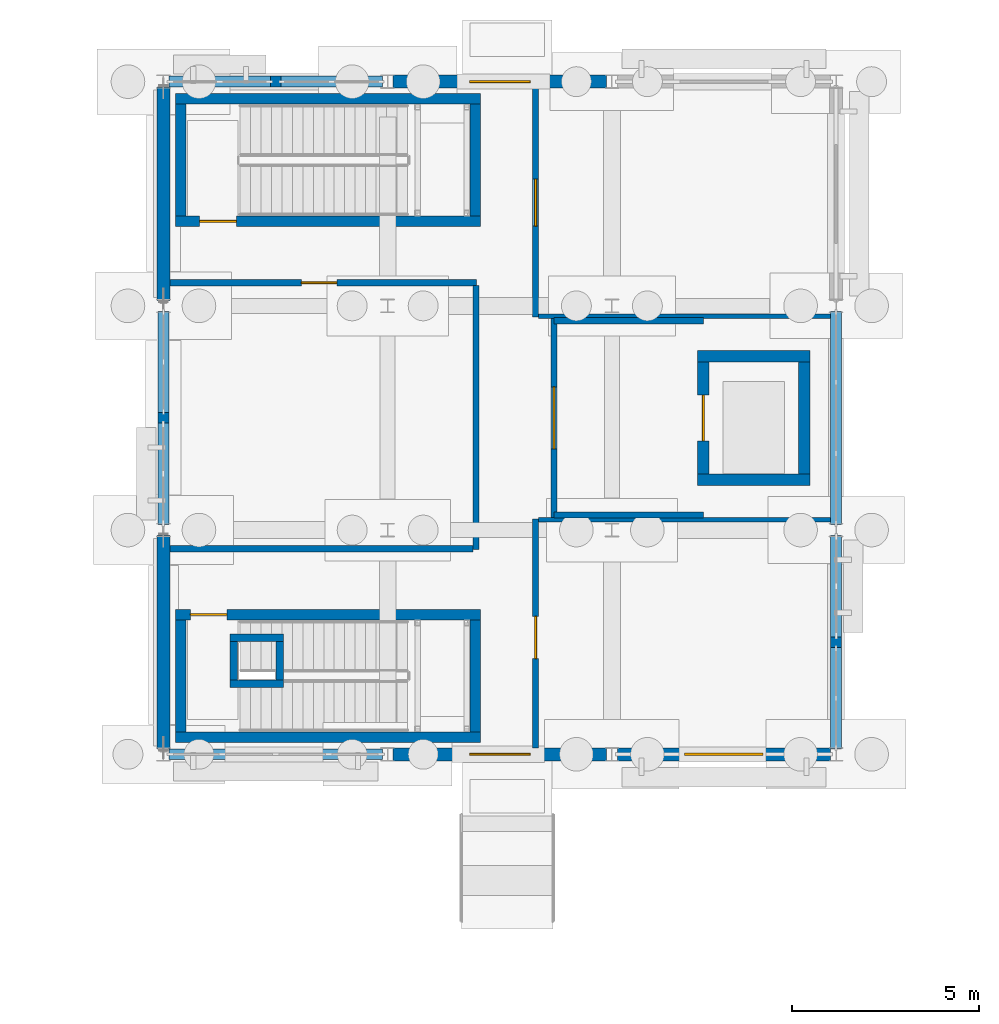
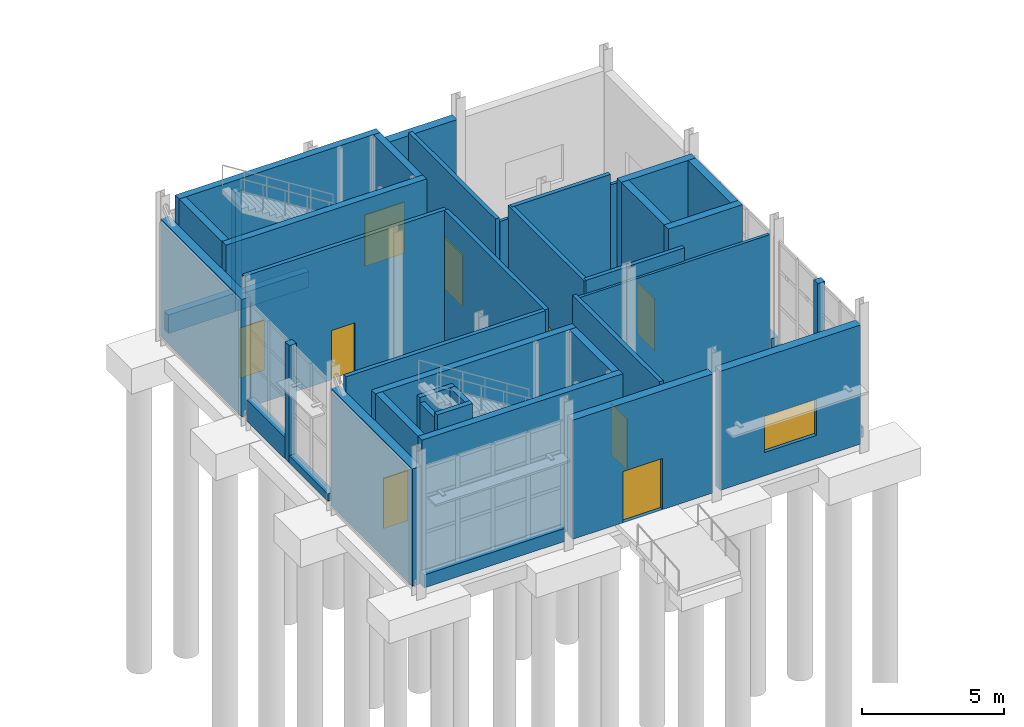
# One storey, part 99 of 120: 42 walls, 9 doors, 1 window, 10 openings.
"""IFC4 building model written with IfcOpenShell, lengths in metres."""

import ifcopenshell
import ifcopenshell.guid

model = None  # the IFC model being written
_history = None  # IfcOwnerHistory: only IFC2X3 demands one
_inside = {}  # id of a spatial element -> (the spatial element, [elements in it])
_under = {}  # id of a project, library or spatial element -> (it, [spatial elements below it])
_declared = {}  # id of a project -> (the project, [libraries it declares])
_typed = {}  # id of a type object -> (the type object, [elements of that type])
_made_of = {}  # id of a material, layer set ... -> (it, [elements and type objects made of it])


def new_model(schema):
    """Start an empty IFC model of exactly this schema.

    Asked for "IFC4X3", IfcOpenShell would pick the latest addendum, in which some entities
    have other attributes; the version numbers below select the first issue.
    IFC2X3 requires an IfcOwnerHistory on every rooted entity: one is made here for all.
    """
    global model, _history
    if schema == "IFC4X3":
        model = ifcopenshell.file(schema_version=(4, 3, 0, 0))
    else:
        model = ifcopenshell.file(schema=schema)
    _inside.clear()
    _under.clear()
    _declared.clear()
    _typed.clear()
    _made_of.clear()
    _history = None
    if model.schema == "IFC2X3":
        org = make("IfcOrganization", Name="unknown")
        user = make(
            "IfcPersonAndOrganization",
            ThePerson=make("IfcPerson", FamilyName="unknown"),
            TheOrganization=org,
        )
        app = make(
            "IfcApplication",
            ApplicationDeveloper=org,
            Version="unknown",
            ApplicationFullName="unknown",
            ApplicationIdentifier="unknown",
        )
        _history = make(
            "IfcOwnerHistory",
            OwningUser=user,
            OwningApplication=app,
            ChangeAction="ADDED",
            CreationDate=0,
        )
    return model


def make(cls, **values):
    """One entity of the class cls with the attributes given. An attribute that is None is left unset."""
    return model.create_entity(
        cls, **{name: value for name, value in values.items() if value is not None}
    )


def rooted(cls, **values):
    """An entity with a GlobalId (a new one), such as an element, a storey or a relation."""
    return make(cls, GlobalId=ifcopenshell.guid.new(), OwnerHistory=_history, **values)


def si_unit(unit_type, name, prefix=None):
    """IfcSIUnit, for example si_unit("LENGTHUNIT", "METRE", prefix="MILLI")."""
    return make("IfcSIUnit", UnitType=unit_type, Prefix=prefix, Name=name)


def assignment(units):
    """IfcUnitAssignment: the units of a project."""
    return None if units is None else make("IfcUnitAssignment", Units=units)


def point(xyz):
    """IfcCartesianPoint."""
    return None if xyz is None else make("IfcCartesianPoint", Coordinates=xyz)


def direction(xyz):
    """IfcDirection."""
    return None if xyz is None else make("IfcDirection", DirectionRatios=xyz)


def frame(location, z_axis=None, x_axis=None):
    """IfcAxis2Placement3D, a coordinate frame: its origin and axes. An axis left out is left unset."""
    return make(
        "IfcAxis2Placement3D",
        Location=point(location),
        Axis=direction(z_axis),
        RefDirection=direction(x_axis),
    )


def frame_2d(location, x_axis=None):
    """IfcAxis2Placement2D, a coordinate frame in the plane: its origin and x axis."""
    return make(
        "IfcAxis2Placement2D", Location=point(location), RefDirection=direction(x_axis)
    )


def origin():
    """The frame at (0, 0, 0) with its axes left unset."""
    return frame((0.0, 0.0, 0.0))


def place(relative_to, where):
    """IfcLocalPlacement: puts the frame where relative to a parent placement (None: the world)."""
    return make(
        "IfcLocalPlacement", PlacementRelTo=relative_to, RelativePlacement=where
    )


def context(
    kind, dimensions, precision=None, world=None, true_north=None, identifier=None
):
    """IfcGeometricRepresentationContext, for example the 3D "Model" context."""
    return make(
        "IfcGeometricRepresentationContext",
        ContextIdentifier=identifier,
        ContextType=kind,
        CoordinateSpaceDimension=dimensions,
        Precision=precision,
        WorldCoordinateSystem=world,
        TrueNorth=true_north,
    )


def subcontext(parent, identifier, kind, view, scale=None):
    """IfcGeometricRepresentationSubContext, for example "Body" below "Model"."""
    return make(
        "IfcGeometricRepresentationSubContext",
        ContextIdentifier=identifier,
        ContextType=kind,
        ParentContext=parent,
        TargetScale=scale,
        TargetView=view,
    )


def project(units=None, contexts=None):
    """IfcProject with its units and contexts."""
    return rooted(
        "IfcProject",
        Name="project",
        RepresentationContexts=contexts,
        UnitsInContext=assignment(units),
    )


def spatial(cls, under=None, at=None, **own):
    """A site, building, storey or space (cls), placed at a placement, below another one or the project."""
    s = rooted(cls, ObjectPlacement=at, **own)
    if under is not None:
        _under.setdefault(under.id(), (under, []))[1].append(s)
    return s


def profile(cls, at=None, kind="AREA", **sizes):
    """A parametric profile (cls). Its sizes go by their IFC names, for example OverallWidth=200.0."""
    return make(cls, ProfileType=kind, Position=at, **sizes)


def rectangle(**sizes):
    """IfcRectangleProfileDef."""
    return profile("IfcRectangleProfileDef", **sizes)


def extrude(swept, where, along, depth):
    """IfcExtrudedAreaSolid: the profile swept, set in the frame where, extruded along a direction by depth."""
    return make(
        "IfcExtrudedAreaSolid",
        SweptArea=swept,
        Position=where,
        ExtrudedDirection=direction(along),
        Depth=depth,
    )


def shape(context_of_items, identifier, shape_type, items):
    """IfcShapeRepresentation: the items that make up one representation, for example the "Body"."""
    return make(
        "IfcShapeRepresentation",
        ContextOfItems=context_of_items,
        RepresentationIdentifier=identifier,
        RepresentationType=shape_type,
        Items=items,
    )


def material(Name=None, Category=None):
    """IfcMaterial."""
    return make("IfcMaterial", Name=Name, Category=Category)


def layer(
    of_material, thickness, ventilated=None, Name=None, Category=None, Priority=None
):
    """IfcMaterialLayer: one layer of a wall or slab, of a material (None: an air gap)."""
    return make(
        "IfcMaterialLayer",
        Material=of_material,
        LayerThickness=thickness,
        IsVentilated=ventilated,
        Name=Name,
        Category=Category,
        Priority=Priority,
    )


def layer_set(layers, Name=None):
    """IfcMaterialLayerSet."""
    return make("IfcMaterialLayerSet", MaterialLayers=layers, LayerSetName=Name)


def made_of(thing, what):
    """Note that an element or type object is made of a material, layer set ...; save() writes the relation."""
    if what is not None:
        _made_of.setdefault(what.id(), (what, []))[1].append(thing)
    return thing


def type_object(cls, material=None, **own):
    """A type object (cls), such as IfcWallType, which elements share."""
    return made_of(rooted(cls, **own), material)


def element(
    cls,
    number,
    at=None,
    inside=None,
    cuts=None,
    type_object=None,
    material=None,
    context=None,
    identifier="Body",
    shape_type=None,
    held_by="IfcProductDefinitionShape",
    body=None,
    shapes=None,
    **own,
):
    """One element of the class cls, such as IfcWall. Its Tag is "e" and its number.

    at: its placement. inside: the storey or other place that contains it. cuts: it is an
    opening in that element (IfcRelVoidsElement). A single representation is given by context,
    identifier, shape_type and body (its items); several are given by shapes. held_by: the class
    of the entity that holds the representations. save() writes the other relations.
    """
    e = rooted(cls, Tag="e%d" % number, ObjectPlacement=at, **own)
    if body is not None:
        shapes = [shape(context, identifier, shape_type, body)]
    if shapes is not None:
        e.Representation = make(held_by, Representations=shapes)
    if inside is not None:
        _inside.setdefault(inside.id(), (inside, []))[1].append(e)
    if cuts is not None:
        rooted(
            "IfcRelVoidsElement", RelatingBuildingElement=cuts, RelatedOpeningElement=e
        )
    if type_object is not None:
        _typed.setdefault(type_object.id(), (type_object, []))[1].append(e)
    return made_of(e, material)


def fill(opening, filler):
    """IfcRelFillsElement: the door or window that sits in an opening."""
    return rooted(
        "IfcRelFillsElement",
        RelatingOpeningElement=opening,
        RelatedBuildingElement=filler,
    )


def aggregate(whole, parts):
    """IfcRelAggregates: a whole, such as a stair, and the parts it consists of."""
    return rooted("IfcRelAggregates", RelatingObject=whole, RelatedObjects=parts)


def save(model, path):
    """Write the relations noted so far, then the file.

    IfcRelAggregates (storeys below a building ...), IfcRelContainedInSpatialStructure (elements
    in a storey), IfcRelDefinesByType, IfcRelAssociatesMaterial and IfcRelDeclares: one each for
    every whole, place, type object, material and project.
    """
    for whole, parts in _under.values():
        aggregate(whole, parts)
    for where, things in _inside.values():
        rooted(
            "IfcRelContainedInSpatialStructure",
            RelatedElements=things,
            RelatingStructure=where,
        )
    for kind, things in _typed.values():
        rooted("IfcRelDefinesByType", RelatedObjects=things, RelatingType=kind)
    for what, things in _made_of.values():
        rooted("IfcRelAssociatesMaterial", RelatedObjects=things, RelatingMaterial=what)
    for by, libraries in _declared.values():
        rooted("IfcRelDeclares", RelatingContext=by, RelatedDefinitions=libraries)
    model.write(path)


model = new_model("IFC4")

# Units and contexts
model_context = context("Model", 3, precision=1e-05, world=origin(), true_north=direction((0.0, 1.0)))
body_context = subcontext(model_context, "Body", "Model", "MODEL_VIEW")
ifc_project = project(units=[si_unit("LENGTHUNIT", "METRE"), si_unit("AREAUNIT", "SQUARE_METRE"), si_unit("VOLUMEUNIT", "CUBIC_METRE"), si_unit("PLANEANGLEUNIT", "RADIAN"), si_unit("MASSUNIT", "GRAM", prefix="KILO")], contexts=[model_context])

# Site, building, storey
site_placement = place(None, origin())
site = spatial("IfcSite", under=ifc_project, at=site_placement, CompositionType="ELEMENT")
building_placement = place(site_placement, origin())
building = spatial("IfcBuilding", under=site, at=building_placement, Name="Siltcreek Boulevard Central Fire Station", CompositionType="ELEMENT")
storey_placement = place(building_placement, origin())
storey = spatial("IfcBuildingStorey", under=building, at=storey_placement, Name="L01", CompositionType="ELEMENT", Elevation=0.0)

# Wall
ifc_material_1 = material(Name="Concrete C40/50", Category="concrete")
ifc_layer_1 = layer(ifc_material_1, 0.280029296875, Name="Concrete C40/50")
ifc_layer_set_1 = layer_set([ifc_layer_1], Name="Concrete C40/50")
wall_type_1 = type_object("IfcWallType", Name="CW_SHEAR280", PredefinedType="SHEAR", material=ifc_layer_set_1)
wall_1_placement = place(storey_placement, frame((42.320068359375, 94.659912109375, 0.0), z_axis=(0.0, 0.0, 1.0), x_axis=(1.0, 0.0, 0.0)))
element("IfcWall", 1, at=wall_1_placement, inside=storey, type_object=wall_type_1, Name="L01 ST-V3A stair enclosure south shear wall", PredefinedType="SHEAR", context=body_context, shape_type="SweptSolid", body=[
    extrude(rectangle(XDim=8.159912109375, YDim=0.280029296875, at=frame_2d((4.080078125, 0.0))), origin(), (0.0, 0.0, 1.0), 6.0),
])

# Wall, opening, door
wall_2_placement = place(storey_placement, frame((50.47998046875, 97.93994140625, 0.0), z_axis=(0.0, 0.0, 1.0), x_axis=(-1.0, 0.0, 0.0)))
wall_2 = element("IfcWall", 2, at=wall_2_placement, inside=storey, type_object=wall_type_1, Name="L01 ST-V3A stair enclosure north shear wall", PredefinedType="SHEAR", context=body_context, shape_type="SweptSolid", body=[
    extrude(rectangle(XDim=8.159912109375, YDim=0.280029296875, at=frame_2d((4.080078125, 0.0))), origin(), (0.0, 0.0, 1.0), 6.0),
])
opening_1_placement = place(wall_2_placement, frame((6.780029296875, 0.0, 0.0)))
opening_1 = element("IfcOpeningElement", 3, at=opening_1_placement, cuts=wall_2, Name="Opening SD-020", PredefinedType="OPENING", context=body_context, shape_type="SweptSolid", body=[
    extrude(rectangle(XDim=0.97998046875, YDim=2.14990234375, at=frame_2d((0.489990234375, 1.074951171875))), frame((0.0, 0.14990234375, 0.0), z_axis=(0.0, -1.0, 0.0), x_axis=(1.0, 0.0, 0.0)), (0.0, 0.0, 1.0), 0.300048828125),
])
ifc_material_2 = material(Name="Hollow metal 90-min enclosed stair door")
door_type_1 = type_object("IfcDoorType", Name="DR_ST_098X215", OperationType="NOTDEFINED", PredefinedType="DOOR", material=ifc_material_2)
door_1_placement = place(opening_1_placement, origin())
door_1 = element("IfcDoor", 4, at=door_1_placement, inside=storey, type_object=door_type_1, Name="L01 ST-V3A enclosed exit stair door SD-020", OperationType="SINGLE_SWING_LEFT", OverallHeight=2.14990234375, OverallWidth=0.97998046875, PredefinedType="DOOR", context=body_context, shape_type="SweptSolid", body=[
    extrude(rectangle(XDim=0.97998046875, YDim=2.14990234375, at=frame_2d((0.489990234375, 1.074951171875))), frame((0.0, 0.02490234375, 0.0), z_axis=(0.0, -1.0, 0.0), x_axis=(1.0, 0.0, 0.0)), (0.0, 0.0, 1.0), 0.050048828125),
])
fill(opening_1, door_1)

# Walls
for number, where, z_axis, x_axis, name in (
    (5, (42.4599609375, 97.800048828125, 0.0), (0.0, 0.0, 1.0), (0.0, -1.0, 0.0), "L01 ST-V3A stair enclosure west shear wall"),
    (6, (50.340087890625, 94.800048828125, 0.0), (0.0, 0.0, 1.0), (0.0, 1.0, 0.0), "L01 ST-V3A stair enclosure east shear wall"),
):
    element("IfcWall", number, at=place(storey_placement, frame(where, z_axis=z_axis, x_axis=x_axis)), inside=storey, type_object=wall_type_1, Name=name, PredefinedType="SHEAR", context=body_context, shape_type="SweptSolid", body=[
        extrude(rectangle(XDim=3.0, YDim=0.280029296875, at=frame_2d((1.5, 0.0))), origin(), (0.0, 0.0, 1.0), 6.0),
    ])

# Wall, opening, door
wall_3_placement = place(storey_placement, frame((42.320068359375, 108.4599609375, 0.0), z_axis=(0.0, 0.0, 1.0), x_axis=(1.0, 0.0, 0.0)))
wall_3 = element("IfcWall", 7, at=wall_3_placement, inside=storey, type_object=wall_type_1, Name="L01 ST-V3B stair enclosure south shear wall", PredefinedType="SHEAR", context=body_context, shape_type="SweptSolid", body=[
    extrude(rectangle(XDim=8.159912109375, YDim=0.280029296875, at=frame_2d((4.080078125, 0.0))), origin(), (0.0, 0.0, 1.0), 6.0),
])
opening_2_placement = place(wall_3_placement, frame((0.64990234375, 0.0, 0.0)))
opening_2 = element("IfcOpeningElement", 8, at=opening_2_placement, cuts=wall_3, Name="Opening SD-026", PredefinedType="OPENING", context=body_context, shape_type="SweptSolid", body=[
    extrude(rectangle(XDim=0.97998046875, YDim=2.14990234375, at=frame_2d((0.489990234375, 1.074951171875))), frame((0.0, 0.14990234375, 0.0), z_axis=(0.0, -1.0, 0.0), x_axis=(1.0, 0.0, 0.0)), (0.0, 0.0, 1.0), 0.300048828125),
])
door_2_placement = place(opening_2_placement, origin())
door_2 = element("IfcDoor", 9, at=door_2_placement, inside=storey, type_object=door_type_1, Name="L01 ST-V3B enclosed exit stair door SD-026", OperationType="SINGLE_SWING_LEFT", OverallHeight=2.14990234375, OverallWidth=0.97998046875, PredefinedType="DOOR", context=body_context, shape_type="SweptSolid", body=[
    extrude(rectangle(XDim=0.97998046875, YDim=2.14990234375, at=frame_2d((0.489990234375, 1.074951171875))), frame((0.0, 0.02490234375, 0.0), z_axis=(0.0, -1.0, 0.0), x_axis=(1.0, 0.0, 0.0)), (0.0, 0.0, 1.0), 0.050048828125),
])
fill(opening_2, door_2)

# Walls
wall_4_placement = place(storey_placement, frame((50.47998046875, 111.739990234375, 0.0), z_axis=(0.0, 0.0, 1.0), x_axis=(-1.0, 0.0, 0.0)))
element("IfcWall", 10, at=wall_4_placement, inside=storey, type_object=wall_type_1, Name="L01 ST-V3B stair enclosure north shear wall", PredefinedType="SHEAR", context=body_context, shape_type="SweptSolid", body=[
    extrude(rectangle(XDim=8.159912109375, YDim=0.280029296875, at=frame_2d((4.080078125, 0.0))), origin(), (0.0, 0.0, 1.0), 6.0),
])
for number, where, z_axis, x_axis, name in (
    (11, (42.4599609375, 111.60009765625, 0.0), (0.0, 0.0, 1.0), (0.0, -1.0, 0.0), "L01 ST-V3B stair enclosure west shear wall"),
    (12, (50.340087890625, 108.60009765625, 0.0), (0.0, 0.0, 1.0), (0.0, 1.0, 0.0), "L01 ST-V3B stair enclosure east shear wall"),
):
    element("IfcWall", number, at=place(storey_placement, frame(where, z_axis=z_axis, x_axis=x_axis)), inside=storey, type_object=wall_type_1, Name=name, PredefinedType="SHEAR", context=body_context, shape_type="SweptSolid", body=[
        extrude(rectangle(XDim=3.0, YDim=0.280029296875, at=frame_2d((1.5, 0.0))), origin(), (0.0, 0.0, 1.0), 6.0),
    ])
ifc_layer_2 = layer(ifc_material_1, 0.304931640625, Name="Concrete C40/50")
ifc_layer_set_2 = layer_set([ifc_layer_2], Name="Concrete C40/50")
wall_type_2 = type_object("IfcWallType", Name="CW_SHEAR305", PredefinedType="SHEAR", material=ifc_layer_set_2)
for number, where, z_axis, x_axis, name in (
    (13, (56.294921875, 101.547607421875, 0.0), (0.0, 0.0, 1.0), (1.0, 0.0, 0.0), "L01 EL-04 elevator shaft south shear wall"),
    (14, (59.304931640625, 104.8525390625, 0.0), (0.0, 0.0, 1.0), (-1.0, 0.0, 0.0), "L01 EL-04 elevator shaft north shear wall"),
):
    element("IfcWall", number, at=place(storey_placement, frame(where, z_axis=z_axis, x_axis=x_axis)), inside=storey, type_object=wall_type_2, Name=name, PredefinedType="SHEAR", context=body_context, shape_type="SweptSolid", body=[
        extrude(rectangle(XDim=3.010009765625, YDim=0.304931640625, at=frame_2d((1.5048828125, 0.0))), origin(), (0.0, 0.0, 1.0), 6.0),
    ])

# Wall, opening, door
wall_5_placement = place(storey_placement, frame((56.447509765625, 104.699951171875, 0.0), z_axis=(0.0, 0.0, 1.0), x_axis=(0.0, -1.0, 0.0)))
wall_5 = element("IfcWall", 15, at=wall_5_placement, inside=storey, type_object=wall_type_2, Name="L01 EL-04 elevator shaft west shear wall", PredefinedType="SHEAR", context=body_context, shape_type="SweptSolid", body=[
    extrude(rectangle(XDim=3.0, YDim=0.304931640625, at=frame_2d((1.5, 0.0))), origin(), (0.0, 0.0, 1.0), 6.0),
])
opening_3_placement = place(wall_5_placement, frame((0.889892578125, 0.0, 0.0)))
opening_3 = element("IfcOpeningElement", 16, at=opening_3_placement, cuts=wall_5, Name="Opening LD02", PredefinedType="OPENING", context=body_context, shape_type="SweptSolid", body=[
    extrude(rectangle(XDim=1.219970703125, YDim=2.219970703125, at=frame_2d((0.60986328125, 1.10986328125))), frame((0.0, 0.162353515625, 0.0), z_axis=(0.0, -1.0, 0.0), x_axis=(1.0, 0.0, 0.0)), (0.0, 0.0, 1.0), 0.324951171875),
])
ifc_material_3 = material(Name="Stainless steel firefighting sliding elevator landing door", Category="steel")
door_type_2 = type_object("IfcDoorType", Name="DR_LD_122X222", OperationType="NOTDEFINED", PredefinedType="DOOR", material=ifc_material_3)
door_3_placement = place(opening_3_placement, origin())
door_3 = element("IfcDoor", 17, at=door_3_placement, inside=storey, type_object=door_type_2, Name="L01 EL-04 elevator sliding landing door LD-16", OperationType="SLIDING_TO_LEFT", OverallHeight=2.219970703125, OverallWidth=1.219970703125, PredefinedType="DOOR", context=body_context, shape_type="SweptSolid", body=[
    extrude(rectangle(XDim=1.219970703125, YDim=2.219970703125, at=frame_2d((0.60986328125, 1.10986328125))), frame((0.0, 0.02490234375, 0.0), z_axis=(0.0, -1.0, 0.0), x_axis=(1.0, 0.0, 0.0)), (0.0, 0.0, 1.0), 0.050048828125),
])
fill(opening_3, door_3)

# Wall
wall_6_placement = place(storey_placement, frame((59.152587890625, 101.699951171875, 0.0), z_axis=(0.0, 0.0, 1.0), x_axis=(0.0, 1.0, 0.0)))
element("IfcWall", 18, at=wall_6_placement, inside=storey, type_object=wall_type_2, Name="L01 EL-04 elevator shaft east shear wall", PredefinedType="SHEAR", context=body_context, shape_type="SweptSolid", body=[
    extrude(rectangle(XDim=3.0, YDim=0.304931640625, at=frame_2d((1.5, 0.0))), origin(), (0.0, 0.0, 1.0), 6.0),
])

# Wall, opening, door
ifc_material_4 = material(Name="Terracotta brick rainscreen on steel stud", Category="masonry")
ifc_layer_3 = layer(ifc_material_4, 0.35009765625, Name="Terracotta brick rainscreen on steel stud")
ifc_layer_set_3 = layer_set([ifc_layer_3], Name="Terracotta brick rainscreen on steel stud")
wall_type_3 = type_object("IfcWallType", Name="EW_BRICK350", PredefinedType="STANDARD", material=ifc_layer_set_3)
wall_7_placement = place(storey_placement, frame((48.14501953125, 94.199951171875, 0.0), z_axis=(0.0, 0.0, 1.0), x_axis=(1.0, 0.0, 0.0)))
wall_7 = element("IfcWall", 19, at=wall_7_placement, inside=storey, type_object=wall_type_3, Name="L01 V3 exterior insulated rainscreen wall WL-EXT-L01-0106", PredefinedType="STANDARD", context=body_context, shape_type="SweptSolid", body=[
    extrude(rectangle(XDim=5.7099609375, YDim=0.35009765625, at=frame_2d((2.85498046875, 0.0))), origin(), (0.0, 0.0, 1.0), 5.113037109375),
])
opening_4_placement = place(wall_7_placement, frame((2.044921875, 0.0, 0.0)))
opening_4 = element("IfcOpeningElement", 20, at=opening_4_placement, cuts=wall_7, Name="Opening ED-116", PredefinedType="OPENING", context=body_context, shape_type="SweptSolid", body=[
    extrude(rectangle(XDim=1.6201171875, YDim=2.199951171875, at=frame_2d((0.81005859375, 1.10009765625))), frame((0.0, 0.18505859375, 0.0), z_axis=(0.0, -1.0, 0.0), x_axis=(1.0, 0.0, 0.0)), (0.0, 0.0, 1.0), 0.3701171875),
])
ifc_material_5 = material(Name="Thermally broken glazed terrace pair")
door_type_3 = type_object("IfcDoorType", Name="DR_TER_162X220", OperationType="NOTDEFINED", PredefinedType="DOOR", material=ifc_material_5)
door_4_placement = place(opening_4_placement, frame((1.6201171875, 0.0, 0.0), z_axis=(0.0, 0.0, 1.0), x_axis=(-1.0, 0.0, 0.0)))
door_4 = element("IfcDoor", 21, at=door_4_placement, inside=storey, type_object=door_type_3, Name="Ground level pedestrian final exit door ED-116", OperationType="SINGLE_SWING_LEFT", OverallHeight=2.199951171875, OverallWidth=1.6201171875, PredefinedType="DOOR", context=body_context, shape_type="SweptSolid", body=[
    extrude(rectangle(XDim=1.6201171875, YDim=2.199951171875, at=frame_2d((0.81005859375, 1.10009765625))), frame((0.0, 0.02490234375, 0.0), z_axis=(0.0, -1.0, 0.0), x_axis=(1.0, 0.0, 0.0)), (0.0, 0.0, 1.0), 0.050048828125),
])
fill(opening_4, door_4)

# Wall, opening, window
wall_8_placement = place(storey_placement, frame((54.14501953125, 94.199951171875, 0.0), z_axis=(0.0, 0.0, 1.0), x_axis=(1.0, 0.0, 0.0)))
wall_8 = element("IfcWall", 22, at=wall_8_placement, inside=storey, type_object=wall_type_3, Name="L01 V3 exterior insulated rainscreen wall WL-EXT-L01-0107", PredefinedType="STANDARD", context=body_context, shape_type="SweptSolid", body=[
    extrude(rectangle(XDim=5.7099609375, YDim=0.35009765625, at=frame_2d((2.85498046875, 0.0))), origin(), (0.0, 0.0, 1.0), 5.113037109375),
])
opening_5_placement = place(wall_8_placement, frame((1.804931640625, 0.0, 1.0)))
opening_5 = element("IfcOpeningElement", 23, at=opening_5_placement, cuts=wall_8, Name="Opening WN15", PredefinedType="OPENING", context=body_context, shape_type="SweptSolid", body=[
    extrude(rectangle(XDim=2.10009765625, YDim=1.550048828125, at=frame_2d((1.050048828125, 0.77490234375))), frame((0.0, 0.18505859375, 0.0), z_axis=(0.0, -1.0, 0.0), x_axis=(1.0, 0.0, 0.0)), (0.0, 0.0, 1.0), 0.3701171875),
])
ifc_material_6 = material(Name="Thermally broken aluminum frame with low-E insulated glass", Category="aluminium")
window_type = type_object("IfcWindowType", Name="WN_PB_210X155", PartitioningType="SINGLE_PANEL", PredefinedType="WINDOW", material=ifc_material_6)
window_placement = place(opening_5_placement, origin())
window = element("IfcWindow", 24, at=window_placement, inside=storey, type_object=window_type, Name="L01 V3 exterior window WN-0082", OverallHeight=1.550048828125, OverallWidth=2.10009765625, PartitioningType="SINGLE_PANEL", PredefinedType="WINDOW", context=body_context, shape_type="SweptSolid", body=[
    extrude(rectangle(XDim=2.10009765625, YDim=1.550048828125, at=frame_2d((1.050048828125, 0.77490234375))), frame((0.0, 0.030029296875, 0.0), z_axis=(0.0, -1.0, 0.0), x_axis=(1.0, 0.0, 0.0)), (0.0, 0.0, 1.0), 0.06005859375),
])
fill(opening_5, window)

# Wall, opening, door
wall_9_placement = place(storey_placement, frame((53.85498046875, 112.199951171875, 0.0), z_axis=(0.0, 0.0, 1.0), x_axis=(-1.0, 0.0, 0.0)))
wall_9 = element("IfcWall", 25, at=wall_9_placement, inside=storey, type_object=wall_type_3, Name="L01 V3 exterior insulated rainscreen wall WL-EXT-L01-0111", PredefinedType="STANDARD", context=body_context, shape_type="SweptSolid", body=[
    extrude(rectangle(XDim=5.7099609375, YDim=0.35009765625, at=frame_2d((2.85498046875, 0.0))), origin(), (0.0, 0.0, 1.0), 5.113037109375),
])
opening_6_placement = place(wall_9_placement, frame((2.044921875, 0.0, 0.0)))
opening_6 = element("IfcOpeningElement", 26, at=opening_6_placement, cuts=wall_9, Name="Opening ED-117", PredefinedType="OPENING", context=body_context, shape_type="SweptSolid", body=[
    extrude(rectangle(XDim=1.6201171875, YDim=2.199951171875, at=frame_2d((0.81005859375, 1.10009765625))), frame((0.0, 0.18505859375, 0.0), z_axis=(0.0, -1.0, 0.0), x_axis=(1.0, 0.0, 0.0)), (0.0, 0.0, 1.0), 0.3701171875),
])
door_5_placement = place(opening_6_placement, frame((1.6201171875, 0.0, 0.0), z_axis=(0.0, 0.0, 1.0), x_axis=(-1.0, 0.0, 0.0)))
door_5 = element("IfcDoor", 27, at=door_5_placement, inside=storey, type_object=door_type_3, Name="Ground level pedestrian final exit door ED-117", OperationType="SINGLE_SWING_RIGHT", OverallHeight=2.199951171875, OverallWidth=1.6201171875, PredefinedType="DOOR", context=body_context, shape_type="SweptSolid", body=[
    extrude(rectangle(XDim=1.6201171875, YDim=2.199951171875, at=frame_2d((0.81005859375, 1.10009765625))), frame((0.0, 0.02490234375, 0.0), z_axis=(0.0, -1.0, 0.0), x_axis=(1.0, 0.0, 0.0)), (0.0, 0.0, 1.0), 0.050048828125),
])
fill(opening_6, door_5)

# Walls
for number, where, z_axis, x_axis, name in (
    (28, (42.0, 100.054931640625, 0.0), (0.0, 0.0, 1.0), (0.0, -1.0, 0.0), "L01 V3 exterior insulated rainscreen wall WL-EXT-L01-0113"),
    (29, (42.0, 112.054931640625, 0.0), (0.0, 0.0, 1.0), (0.0, -1.0, 0.0), "L01 V3 exterior insulated rainscreen wall WL-EXT-L01-0117"),
):
    element("IfcWall", number, at=place(storey_placement, frame(where, z_axis=z_axis, x_axis=x_axis)), inside=storey, type_object=wall_type_3, Name=name, PredefinedType="STANDARD", context=body_context, shape_type="SweptSolid", body=[
        extrude(rectangle(XDim=5.7099609375, YDim=0.35009765625, at=frame_2d((2.85498046875, 0.0))), origin(), (0.0, 0.0, 1.0), 5.0439453125),
    ])
ifc_material_7 = material(Name="White ribbed aluminum spandrel wall", Category="aluminium")
ifc_layer_4 = layer(ifc_material_7, 0.2900390625, Name="White ribbed aluminum spandrel wall")
ifc_layer_set_4 = layer_set([ifc_layer_4], Name="White ribbed aluminum spandrel wall")
wall_type_4 = type_object("IfcWallType", Name="EW_METAL290", PredefinedType="STANDARD", material=ifc_layer_set_4)
wall_10_placement = place(storey_placement, frame((42.14501953125, 94.199951171875, 0.0), z_axis=(0.0, 0.0, 1.0), x_axis=(1.0, 0.0, 0.0)))
element("IfcWall", 30, at=wall_10_placement, inside=storey, type_object=wall_type_4, Name="L01 V3 curtain-wall sill spandrel 0105", PredefinedType="STANDARD", context=body_context, shape_type="SweptSolid", body=[
    extrude(rectangle(XDim=5.7099609375, YDim=0.2900390625, at=frame_2d((2.85498046875, 0.0))), origin(), (0.0, 0.0, 1.0), 0.56005859375),
])
wall_11_placement = place(storey_placement, frame((45.139892578125, 112.199951171875, 0.0), z_axis=(0.0, 0.0, 1.0), x_axis=(-1.0, 0.0, 0.0)))
element("IfcWall", 31, at=wall_11_placement, inside=storey, type_object=wall_type_4, Name="L01 V3 facade pier 0108", PredefinedType="STANDARD", context=body_context, shape_type="SweptSolid", body=[
    extrude(rectangle(XDim=0.27978515625, YDim=0.2900390625, at=frame_2d((0.139892578125, 0.0))), origin(), (0.0, 0.0, 1.0), 5.113037109375),
])
wall_12_placement = place(storey_placement, frame((47.85498046875, 112.199951171875, 0.0), z_axis=(0.0, 0.0, 1.0), x_axis=(-1.0, 0.0, 0.0)))
element("IfcWall", 32, at=wall_12_placement, inside=storey, type_object=wall_type_4, Name="L01 V3 curtain-wall sill spandrel 0109", PredefinedType="STANDARD", context=body_context, shape_type="SweptSolid", body=[
    extrude(rectangle(XDim=2.715087890625, YDim=0.2900390625, at=frame_2d((1.357421875, 0.0))), origin(), (0.0, 0.0, 1.0), 0.679931640625),
])
wall_13_placement = place(storey_placement, frame((44.860107421875, 112.199951171875, 0.0), z_axis=(0.0, 0.0, 1.0), x_axis=(-1.0, 0.0, 0.0)))
element("IfcWall", 33, at=wall_13_placement, inside=storey, type_object=wall_type_4, Name="L01 V3 curtain-wall sill spandrel 0110", PredefinedType="STANDARD", context=body_context, shape_type="SweptSolid", body=[
    extrude(rectangle(XDim=2.715087890625, YDim=0.2900390625, at=frame_2d((1.357421875, 0.0))), origin(), (0.0, 0.0, 1.0), 0.800048828125),
])
wall_14_placement = place(storey_placement, frame((42.0, 103.340087890625, 0.0), z_axis=(0.0, 0.0, 1.0), x_axis=(0.0, -1.0, 0.0)))
element("IfcWall", 34, at=wall_14_placement, inside=storey, type_object=wall_type_4, Name="L01 V3 facade pier 0114", PredefinedType="STANDARD", context=body_context, shape_type="SweptSolid", body=[
    extrude(rectangle(XDim=0.280029296875, YDim=0.2900390625, at=frame_2d((0.14013671875, 0.0))), origin(), (0.0, 0.0, 1.0), 5.0439453125),
])
wall_15_placement = place(storey_placement, frame((42.0, 106.054931640625, 0.0), z_axis=(0.0, 0.0, 1.0), x_axis=(0.0, -1.0, 0.0)))
element("IfcWall", 35, at=wall_15_placement, inside=storey, type_object=wall_type_4, Name="L01 V3 curtain-wall sill spandrel 0115", PredefinedType="STANDARD", context=body_context, shape_type="SweptSolid", body=[
    extrude(rectangle(XDim=2.71484375, YDim=0.2900390625, at=frame_2d((1.357421875, 0.0))), origin(), (0.0, 0.0, 1.0), 0.919921875),
])
wall_16_placement = place(storey_placement, frame((42.0, 103.06005859375, 0.0), z_axis=(0.0, 0.0, 1.0), x_axis=(0.0, -1.0, 0.0)))
element("IfcWall", 36, at=wall_16_placement, inside=storey, type_object=wall_type_4, Name="L01 V3 curtain-wall sill spandrel 0116", PredefinedType="STANDARD", context=body_context, shape_type="SweptSolid", body=[
    extrude(rectangle(XDim=2.715087890625, YDim=0.2900390625, at=frame_2d((1.357421875, 0.0))), origin(), (0.0, 0.0, 1.0), 0.320068359375),
])
wall_17_placement = place(storey_placement, frame((60.0, 97.06005859375, 0.0), z_axis=(0.0, 0.0, 1.0), x_axis=(0.0, 1.0, 0.0)))
element("IfcWall", 37, at=wall_17_placement, inside=storey, type_object=wall_type_4, Name="L01 V3 facade pier 0118", PredefinedType="STANDARD", context=body_context, shape_type="SweptSolid", body=[
    extrude(rectangle(XDim=0.280029296875, YDim=0.2900390625, at=frame_2d((0.14013671875, 0.0))), origin(), (0.0, 0.0, 1.0), 5.0439453125),
])
wall_18_placement = place(storey_placement, frame((60.0, 94.344970703125, 0.0), z_axis=(0.0, 0.0, 1.0), x_axis=(0.0, 1.0, 0.0)))
element("IfcWall", 38, at=wall_18_placement, inside=storey, type_object=wall_type_4, Name="L01 V3 curtain-wall sill spandrel 0119", PredefinedType="STANDARD", context=body_context, shape_type="SweptSolid", body=[
    extrude(rectangle(XDim=2.715087890625, YDim=0.2900390625, at=frame_2d((1.357421875, 0.0))), origin(), (0.0, 0.0, 1.0), 0.43994140625),
])
wall_19_placement = place(storey_placement, frame((60.0, 97.340087890625, 0.0), z_axis=(0.0, 0.0, 1.0), x_axis=(0.0, 1.0, 0.0)))
element("IfcWall", 39, at=wall_19_placement, inside=storey, type_object=wall_type_4, Name="L01 V3 curtain-wall sill spandrel 0120", PredefinedType="STANDARD", context=body_context, shape_type="SweptSolid", body=[
    extrude(rectangle(XDim=2.71484375, YDim=0.2900390625, at=frame_2d((1.357421875, 0.0))), origin(), (0.0, 0.0, 1.0), 0.56005859375),
])
wall_20_placement = place(storey_placement, frame((60.0, 100.344970703125, 0.0), z_axis=(0.0, 0.0, 1.0), x_axis=(0.0, 1.0, 0.0)))
element("IfcWall", 40, at=wall_20_placement, inside=storey, type_object=wall_type_4, Name="L01 V3 curtain-wall sill spandrel 0121", PredefinedType="STANDARD", context=body_context, shape_type="SweptSolid", body=[
    extrude(rectangle(XDim=5.7099609375, YDim=0.2900390625, at=frame_2d((2.85498046875, 0.0))), origin(), (0.0, 0.0, 1.0), 0.679931640625),
])
ifc_material_8 = material(Name="Fire-rated concrete masonry and gypsum barrier", Category="masonry")
ifc_layer_5 = layer(ifc_material_8, 0.199951171875, Name="Fire-rated concrete masonry and gypsum barrier")
ifc_layer_set_5 = layer_set([ifc_layer_5], Name="Fire-rated concrete masonry and gypsum barrier")
wall_type_5 = type_object("IfcWallType", Name="IW_FIRE200", PredefinedType="PARTITIONING", material=ifc_layer_set_5)
wall_21_placement = place(storey_placement, frame((43.784912109375, 96.0849609375, 0.0), z_axis=(0.0, 0.0, 1.0), x_axis=(1.0, 0.0, 0.0)))
element("IfcWall", 41, at=wall_21_placement, inside=storey, type_object=wall_type_5, Name="L01 enclosed MEP service riser wall 008-S", PredefinedType="PARTITIONING", context=body_context, shape_type="SweptSolid", body=[
    extrude(rectangle(XDim=1.43017578125, YDim=0.199951171875, at=frame_2d((0.715087890625, 0.0))), origin(), (0.0, 0.0, 1.0), 5.679931640625),
])
wall_22_placement = place(storey_placement, frame((45.114990234375, 96.18505859375, 0.0), z_axis=(0.0, 0.0, 1.0), x_axis=(0.0, 1.0, 0.0)))
element("IfcWall", 42, at=wall_22_placement, inside=storey, type_object=wall_type_5, Name="L01 enclosed MEP service riser wall 008-E", PredefinedType="PARTITIONING", context=body_context, shape_type="SweptSolid", body=[
    extrude(rectangle(XDim=1.030029296875, YDim=0.199951171875, at=frame_2d((0.51513671875, 0.0))), origin(), (0.0, 0.0, 1.0), 5.679931640625),
])
wall_23_placement = place(storey_placement, frame((45.215087890625, 97.31494140625, 0.0), z_axis=(0.0, 0.0, 1.0), x_axis=(-1.0, 0.0, 0.0)))
element("IfcWall", 43, at=wall_23_placement, inside=storey, type_object=wall_type_5, Name="L01 enclosed MEP service riser wall 008-N", PredefinedType="PARTITIONING", context=body_context, shape_type="SweptSolid", body=[
    extrude(rectangle(XDim=1.43017578125, YDim=0.199951171875, at=frame_2d((0.715087890625, 0.0))), origin(), (0.0, 0.0, 1.0), 5.679931640625),
])
wall_24_placement = place(storey_placement, frame((43.885009765625, 97.215087890625, 0.0), z_axis=(0.0, 0.0, 1.0), x_axis=(0.0, -1.0, 0.0)))
element("IfcWall", 44, at=wall_24_placement, inside=storey, type_object=wall_type_5, Name="L01 enclosed MEP service riser wall 008-W", PredefinedType="PARTITIONING", context=body_context, shape_type="SweptSolid", body=[
    extrude(rectangle(XDim=1.030029296875, YDim=0.199951171875, at=frame_2d((0.51513671875, 0.0))), origin(), (0.0, 0.0, 1.0), 5.450927734375),
])
ifc_material_9 = material(Name="Interior steel stud gypsum partition", Category="steel")
ifc_layer_6 = layer(ifc_material_9, 0.125, Name="Interior steel stud gypsum partition")
ifc_layer_set_6 = layer_set([ifc_layer_6], Name="Interior steel stud gypsum partition")
wall_type_6 = type_object("IfcWallType", Name="IW_PART125", PredefinedType="PARTITIONING", material=ifc_layer_set_6)
for number, where, z_axis, x_axis, name in (
    (45, (52.0400390625, 100.47998046875, 0.0), (0.0, 0.0, 1.0), (1.0, 0.0, 0.0), "L01 Hose Wash and Drying Hall partition 0071"),
    (46, (59.85498046875, 105.919921875, 0.0), (0.0, 0.0, 1.0), (-1.0, 0.0, 0.0), "L01 Technical Rigging Gear Room partition 0073"),
):
    element("IfcWall", number, at=place(storey_placement, frame(where, z_axis=z_axis, x_axis=x_axis)), inside=storey, type_object=wall_type_6, Name=name, PredefinedType="PARTITIONING", context=body_context, shape_type="SweptSolid", body=[
        extrude(rectangle(XDim=7.81494140625, YDim=0.125, at=frame_2d((3.907470703125, 0.0))), origin(), (0.0, 0.0, 1.0), 5.113037109375),
    ])
ifc_material_10 = material(Name="Acoustic smoke-barrier steel stud gypsum wall", Category="steel")
ifc_layer_7 = layer(ifc_material_10, 0.1650390625, Name="Acoustic smoke-barrier steel stud gypsum wall")
ifc_layer_set_7 = layer_set([ifc_layer_7], Name="Acoustic smoke-barrier steel stud gypsum wall")
wall_type_7 = type_object("IfcWallType", Name="IW_SMK165", PredefinedType="PARTITIONING", material=ifc_layer_set_7)
for number, where, z_axis, x_axis, name in (
    (47, (52.449951171875, 100.60009765625, 0.0), (0.0, 0.0, 1.0), (1.0, 0.0, 0.0), "L01 EL-04 elevator lobby S smoke partition"),
    (48, (56.447509765625, 105.800048828125, 0.0), (0.0, 0.0, 1.0), (-1.0, 0.0, 0.0), "L01 EL-04 elevator lobby N smoke partition"),
):
    element("IfcWall", number, at=place(storey_placement, frame(where, z_axis=z_axis, x_axis=x_axis)), inside=storey, type_object=wall_type_7, Name=name, PredefinedType="PARTITIONING", context=body_context, shape_type="SweptSolid", body=[
        extrude(rectangle(XDim=3.99755859375, YDim=0.1650390625, at=frame_2d((1.998779296875, 0.0))), origin(), (0.0, 0.0, 1.0), 5.679931640625),
    ])

# Wall, opening, door
wall_25_placement = place(storey_placement, frame((52.449951171875, 100.52001953125, 0.0), z_axis=(0.0, 0.0, 1.0), x_axis=(0.0, 1.0, 0.0)))
wall_25 = element("IfcWall", 49, at=wall_25_placement, inside=storey, type_object=wall_type_7, Name="L01 EL-04 elevator lobby west smoke partition", PredefinedType="PARTITIONING", context=body_context, shape_type="SweptSolid", body=[
    extrude(rectangle(XDim=5.35986328125, YDim=0.1650390625, at=frame_2d((2.679931640625, 0.0))), origin(), (0.0, 0.0, 1.0), 5.679931640625),
])
opening_7_placement = place(wall_25_placement, frame((1.85009765625, 0.0, 0.0)))
opening_7 = element("IfcOpeningElement", 50, at=opening_7_placement, cuts=wall_25, Name="Opening FD02", PredefinedType="OPENING", context=body_context, shape_type="SweptSolid", body=[
    extrude(rectangle(XDim=1.659912109375, YDim=2.199951171875, at=frame_2d((0.830078125, 1.10009765625))), frame((0.0, 0.092529296875, 0.0), z_axis=(0.0, -1.0, 0.0), x_axis=(1.0, 0.0, 0.0)), (0.0, 0.0, 1.0), 0.18505859375),
])
ifc_material_11 = material(Name="Hollow metal smoke-barrier elevator lobby pair")
door_type_4 = type_object("IfcDoorType", Name="DR_LOB_166X220", OperationType="NOTDEFINED", PredefinedType="DOOR", material=ifc_material_11)
door_6_placement = place(opening_7_placement, frame((1.659912109375, 0.0, 0.0), z_axis=(0.0, 0.0, 1.0), x_axis=(-1.0, 0.0, 0.0)))
door_6 = element("IfcDoor", 51, at=door_6_placement, inside=storey, type_object=door_type_4, Name="L01 EL-04 elevator lobby smoke door", OperationType="DOUBLE_DOOR_SINGLE_SWING", OverallHeight=2.199951171875, OverallWidth=1.659912109375, PredefinedType="DOOR", context=body_context, shape_type="SweptSolid", body=[
    extrude(rectangle(XDim=1.659912109375, YDim=2.199951171875, at=frame_2d((0.830078125, 1.10009765625))), frame((0.0, 0.02490234375, 0.0), z_axis=(0.0, -1.0, 0.0), x_axis=(1.0, 0.0, 0.0)), (0.0, 0.0, 1.0), 0.050048828125),
])
fill(opening_7, door_6)

wall_26_placement = place(storey_placement, frame((42.175048828125, 106.820068359375, 0.0), z_axis=(0.0, 0.0, 1.0), x_axis=(1.0, 0.0, 0.0)))
wall_26 = element("IfcWall", 52, at=wall_26_placement, inside=storey, type_object=wall_type_7, Name="L01 Standpipe Pump Training Room partition 0067", PredefinedType="PARTITIONING", context=body_context, shape_type="SweptSolid", body=[
    extrude(rectangle(XDim=8.20751953125, YDim=0.1650390625, at=frame_2d((4.103759765625, 0.0))), origin(), (0.0, 0.0, 1.0), 5.679931640625),
])
opening_8_placement = place(wall_26_placement, frame((3.516845703125, 0.0, 0.0)))
opening_8 = element("IfcOpeningElement", 53, at=opening_8_placement, cuts=wall_26, Name="Opening ID05", PredefinedType="OPENING", context=body_context, shape_type="SweptSolid", body=[
    extrude(rectangle(XDim=0.949951171875, YDim=2.1201171875, at=frame_2d((0.47509765625, 1.06005859375))), frame((0.0, 0.092529296875, 0.0), z_axis=(0.0, -1.0, 0.0), x_axis=(1.0, 0.0, 0.0)), (0.0, 0.0, 1.0), 0.18505859375),
])
ifc_material_12 = material(Name="STC-45 officer bunk suite door")
door_type_5 = type_object("IfcDoorType", Name="DR_OFS_095X212", OperationType="NOTDEFINED", PredefinedType="DOOR", material=ifc_material_12)
door_7_placement = place(opening_8_placement, frame((0.949951171875, 0.0, 0.0), z_axis=(0.0, 0.0, 1.0), x_axis=(-1.0, 0.0, 0.0)))
door_7 = element("IfcDoor", 54, at=door_7_placement, inside=storey, type_object=door_type_5, Name="L01 Standpipe Pump Training Room door ID-0031", OperationType="SINGLE_SWING_RIGHT", OverallHeight=2.1201171875, OverallWidth=0.949951171875, PredefinedType="DOOR", context=body_context, shape_type="SweptSolid", body=[
    extrude(rectangle(XDim=0.949951171875, YDim=2.1201171875, at=frame_2d((0.47509765625, 1.06005859375))), frame((0.0, 0.02490234375, 0.0), z_axis=(0.0, -1.0, 0.0), x_axis=(1.0, 0.0, 0.0)), (0.0, 0.0, 1.0), 0.050048828125),
])
fill(opening_8, door_7)

# Walls
wall_27_placement = place(storey_placement, frame((50.360107421875, 106.739990234375, 0.0), z_axis=(0.0, 0.0, 1.0), x_axis=(0.0, -1.0, 0.0)))
element("IfcWall", 55, at=wall_27_placement, inside=storey, type_object=wall_type_7, Name="L01 Standpipe Pump Training Room partition 0068", PredefinedType="PARTITIONING", context=body_context, shape_type="SweptSolid", body=[
    extrude(rectangle(XDim=7.0625, YDim=0.1650390625, at=frame_2d((3.53125, 0.0))), origin(), (0.0, 0.0, 1.0), 5.679931640625),
])
wall_28_placement = place(storey_placement, frame((50.280029296875, 99.699951171875, 0.0), z_axis=(0.0, 0.0, 1.0), x_axis=(-1.0, 0.0, 0.0)))
element("IfcWall", 56, at=wall_28_placement, inside=storey, type_object=wall_type_7, Name="L01 Standpipe Pump Training Room partition 0069", PredefinedType="PARTITIONING", context=body_context, shape_type="SweptSolid", body=[
    extrude(rectangle(XDim=8.10498046875, YDim=0.1650390625, at=frame_2d((4.052490234375, 0.0))), origin(), (0.0, 0.0, 1.0), 5.679931640625),
])

# Wall, opening, door
wall_29_placement = place(storey_placement, frame((51.9599609375, 94.375, 0.0), z_axis=(0.0, 0.0, 1.0), x_axis=(0.0, 1.0, 0.0)))
wall_29 = element("IfcWall", 57, at=wall_29_placement, inside=storey, type_object=wall_type_7, Name="L01 Hose Wash and Drying Hall partition 0070", PredefinedType="PARTITIONING", context=body_context, shape_type="SweptSolid", body=[
    extrude(rectangle(XDim=6.12744140625, YDim=0.1650390625, at=frame_2d((3.063720703125, 0.0))), origin(), (0.0, 0.0, 1.0), 5.2490234375),
])
opening_9_placement = place(wall_29_placement, frame((2.387451171875, 0.0, 0.0)))
opening_9 = element("IfcOpeningElement", 58, at=opening_9_placement, cuts=wall_29, Name="Opening ID07", PredefinedType="OPENING", context=body_context, shape_type="SweptSolid", body=[
    extrude(rectangle(XDim=1.1298828125, YDim=2.179931640625, at=frame_2d((0.56494140625, 1.08984375))), frame((0.0, 0.092529296875, 0.0), z_axis=(0.0, -1.0, 0.0), x_axis=(1.0, 0.0, 0.0)), (0.0, 0.0, 1.0), 0.18505859375),
])
ifc_material_13 = material(Name="Galvanized steel drill training prop door", Category="steel")
door_type_6 = type_object("IfcDoorType", Name="DR_DRL_113X218", OperationType="NOTDEFINED", PredefinedType="DOOR", material=ifc_material_13)
door_8_placement = place(opening_9_placement, frame((1.1298828125, 0.0, 0.0), z_axis=(0.0, 0.0, 1.0), x_axis=(-1.0, 0.0, 0.0)))
door_8 = element("IfcDoor", 59, at=door_8_placement, inside=storey, type_object=door_type_6, Name="L01 Hose Wash and Drying Hall door ID-0032", OperationType="SINGLE_SWING_LEFT", OverallHeight=2.179931640625, OverallWidth=1.1298828125, PredefinedType="DOOR", context=body_context, shape_type="SweptSolid", body=[
    extrude(rectangle(XDim=1.1298828125, YDim=2.179931640625, at=frame_2d((0.56494140625, 1.08984375))), frame((0.0, 0.02490234375, 0.0), z_axis=(0.0, -1.0, 0.0), x_axis=(1.0, 0.0, 0.0)), (0.0, 0.0, 1.0), 0.050048828125),
])
fill(opening_9, door_8)

wall_30_placement = place(storey_placement, frame((51.9599609375, 105.8974609375, 0.0), z_axis=(0.0, 0.0, 1.0), x_axis=(0.0, 1.0, 0.0)))
wall_30 = element("IfcWall", 60, at=wall_30_placement, inside=storey, type_object=wall_type_7, Name="L01 Technical Rigging Gear Room partition 0072", PredefinedType="PARTITIONING", context=body_context, shape_type="SweptSolid", body=[
    extrude(rectangle(XDim=6.12744140625, YDim=0.1650390625, at=frame_2d((3.063720703125, 0.0))), origin(), (0.0, 0.0, 1.0), 5.2490234375),
])
opening_10_placement = place(wall_30_placement, frame((2.433837890625, 0.0, 0.0)))
opening_10 = element("IfcOpeningElement", 61, at=opening_10_placement, cuts=wall_30, Name="Opening ID10", PredefinedType="OPENING", context=body_context, shape_type="SweptSolid", body=[
    extrude(rectangle(XDim=1.260009765625, YDim=2.199951171875, at=frame_2d((0.6298828125, 1.10009765625))), frame((0.0, 0.092529296875, 0.0), z_axis=(0.0, -1.0, 0.0), x_axis=(1.0, 0.0, 0.0)), (0.0, 0.0, 1.0), 0.18505859375),
])
ifc_material_14 = material(Name="Hollow metal equipment storage door")
door_type_7 = type_object("IfcDoorType", Name="DR_STR_126X220", OperationType="NOTDEFINED", PredefinedType="DOOR", material=ifc_material_14)
door_9_placement = place(opening_10_placement, frame((1.260009765625, 0.0, 0.0), z_axis=(0.0, 0.0, 1.0), x_axis=(-1.0, 0.0, 0.0)))
door_9 = element("IfcDoor", 62, at=door_9_placement, inside=storey, type_object=door_type_7, Name="L01 Technical Rigging Gear Room door ID-0033", OperationType="SINGLE_SWING_RIGHT", OverallHeight=2.199951171875, OverallWidth=1.260009765625, PredefinedType="DOOR", context=body_context, shape_type="SweptSolid", body=[
    extrude(rectangle(XDim=1.260009765625, YDim=2.199951171875, at=frame_2d((0.6298828125, 1.10009765625))), frame((0.0, 0.02490234375, 0.0), z_axis=(0.0, -1.0, 0.0), x_axis=(1.0, 0.0, 0.0)), (0.0, 0.0, 1.0), 0.050048828125),
])
fill(opening_10, door_9)

save(model, "model.ifc")
